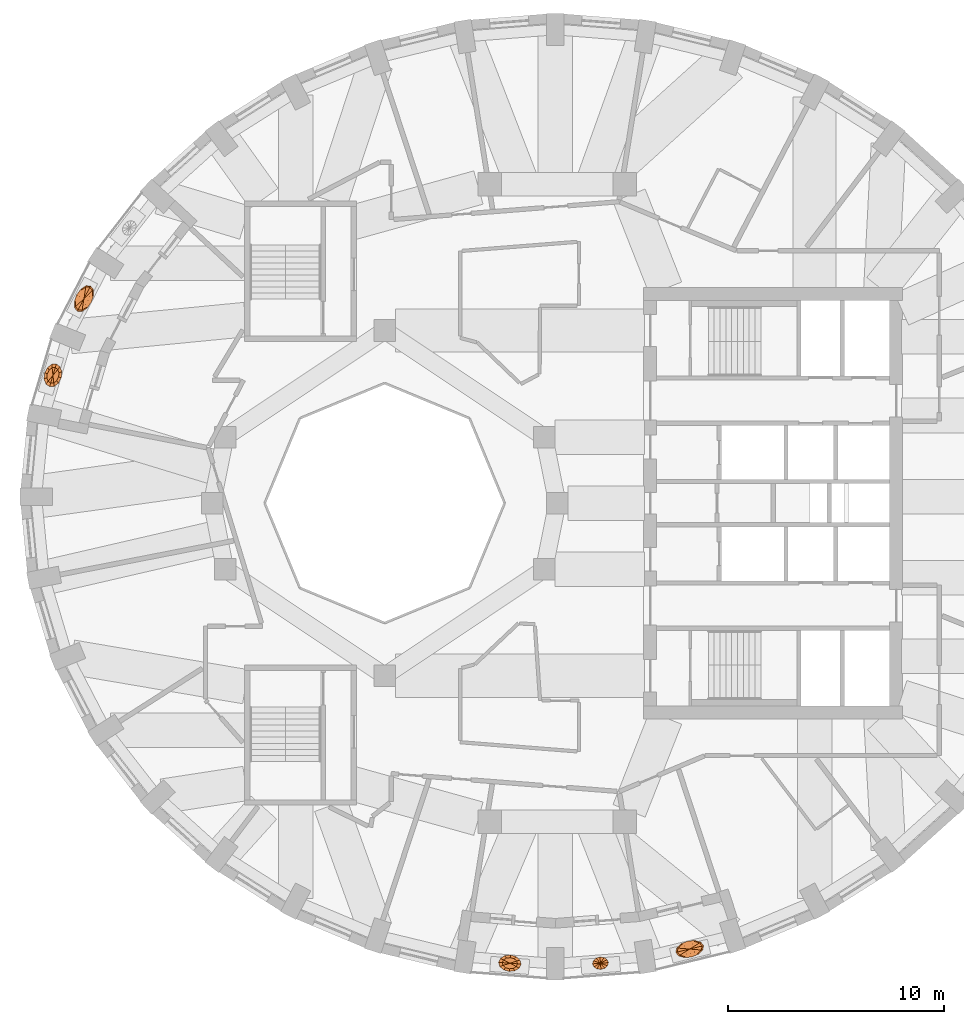
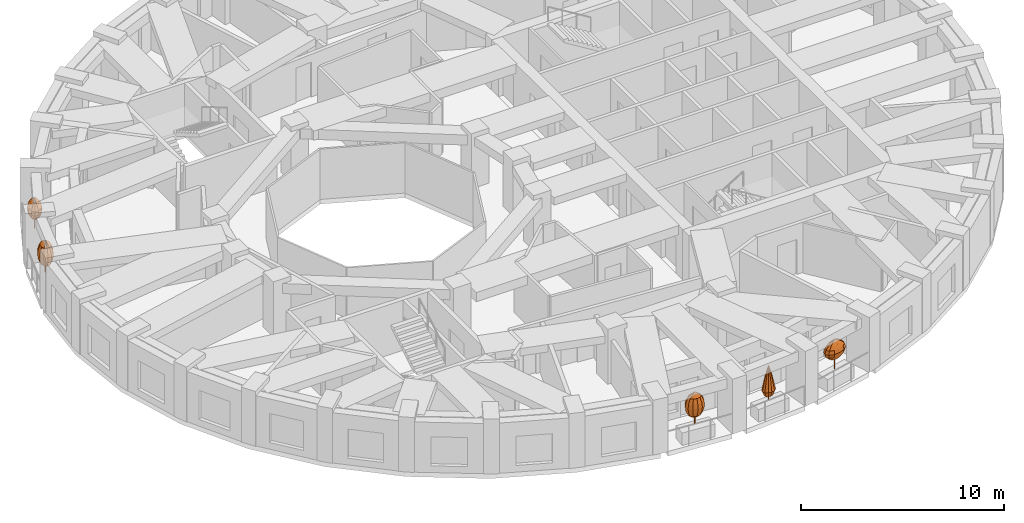
# One storey, part 11 of 12: 5 geographic elements.
"""IFC4 building model written with IfcOpenShell, lengths in metres."""

from ifc_helpers import new_model, si_unit, direction, frame, origin, place, context, subcontext, project, spatial, faceted_brep, material, constituent, constituent_set, type_object, element, save


model = new_model("IFC4")

# Units and contexts
model_context = context("Model", 3, precision=1e-05, world=origin(), true_north=direction((0.0, 1.0)))
body_context = subcontext(model_context, "Body", "Model", "MODEL_VIEW")
ifc_project = project(units=[si_unit("LENGTHUNIT", "METRE"), si_unit("AREAUNIT", "SQUARE_METRE"), si_unit("VOLUMEUNIT", "CUBIC_METRE"), si_unit("PLANEANGLEUNIT", "RADIAN"), si_unit("MASSUNIT", "GRAM", prefix="KILO")], contexts=[model_context])

# Site, building, storey
site_placement = place(None, origin())
site = spatial("IfcSite", under=ifc_project, at=site_placement, CompositionType="ELEMENT")
building_placement = place(site_placement, origin())
building = spatial("IfcBuilding", under=site, at=building_placement, Name="Taillehof Tower", CompositionType="ELEMENT")
storey_placement = place(building_placement, frame((0.0, 0.0, 243.199951171875)))
storey = spatial("IfcBuildingStorey", under=building, at=storey_placement, Name="L69", CompositionType="ELEMENT", Elevation=243.199951171875)

# Geographic elements
ifc_material_1 = material(Name="Tree bark", Category="timber")
ifc_constituent_1 = constituent(ifc_material_1, Name="Trunk", Category="timber")
ifc_material_2 = material(Name="Tree foliage")
ifc_constituent_2 = constituent(ifc_material_2, Name="Crown")
ifc_constituent_set_1 = constituent_set(constituents=[ifc_constituent_1, ifc_constituent_2], Name="Tree TR2 Fastigiate yew")
geographic_element_type_1 = type_object("IfcGeographicElementType", Name="Tree TR2 Fastigiate yew", PredefinedType="USERDEFINED", material=ifc_constituent_set_1)
geographic_element_1_placement = place(storey_placement, frame((-2.19921875, -21.32275390625, 0.75)))
element("IfcGeographicElement", 1, at=geographic_element_1_placement, inside=storey, type_object=geographic_element_type_1, Name="Tree TR2 Fastigiate yew", ObjectType="TREE", PredefinedType="USERDEFINED", context=body_context, shape_type="Brep", body=[
    faceted_brep([(0.034912109375, 0.0, 0.0), (0.024658203125, 0.024658203125, 0.0), (0.024658203125, 0.024658203125, 0.909912109375), (0.034912109375, 0.0, 0.909912109375), (0.0, 0.034912109375, 0.0), (0.0, 0.034912109375, 0.909912109375), (-0.024658203125, 0.024658203125, 0.0), (-0.024658203125, 0.024658203125, 0.909912109375), (-0.034912109375, 0.0, 0.0), (-0.034912109375, 0.0, 0.909912109375), (-0.024658203125, -0.024658203125, 0.0), (-0.024658203125, -0.024658203125, 0.909912109375), (0.0, -0.034912109375, 0.0), (0.0, -0.034912109375, 0.909912109375), (0.024658203125, -0.024658203125, 0.0), (0.024658203125, -0.024658203125, 0.909912109375)], [[[0, 1, 2, 3]], [[1, 4, 5, 2]], [[4, 6, 7, 5]], [[6, 8, 9, 7]], [[8, 10, 11, 9]], [[10, 12, 13, 11]], [[12, 14, 15, 13]], [[14, 0, 3, 15]], [[14, 12, 10, 8, 6, 4, 1, 0]], [[3, 2, 5, 7, 9, 11, 13, 15]]]),
    faceted_brep([(0.0, 0.0, 0.35009765625), (0.318359375, 0.105224609375, 0.61669921875), (0.355712890625, -0.028076171875, 0.61669921875), (0.195556640625, 0.2099609375, 0.61669921875), (0.020263671875, 0.2587890625, 0.61669921875), (-0.16015625, 0.238037109375, 0.61669921875), (-0.2978515625, 0.153564453125, 0.61669921875), (-0.355712890625, 0.028076171875, 0.61669921875), (-0.318359375, -0.105224609375, 0.61669921875), (-0.195556640625, -0.2099609375, 0.61669921875), (-0.020263671875, -0.2587890625, 0.61669921875), (0.16015625, -0.238037109375, 0.61669921875), (0.2978515625, -0.153564453125, 0.61669921875), (0.4306640625, 0.14208984375, 0.88330078125), (0.481201171875, -0.037841796875, 0.88330078125), (0.264404296875, 0.2841796875, 0.88330078125), (0.027587890625, 0.35009765625, 0.88330078125), (-0.216796875, 0.322021484375, 0.88330078125), (-0.403076171875, 0.207763671875, 0.88330078125), (-0.481201171875, 0.037841796875, 0.88330078125), (-0.4306640625, -0.14208984375, 0.88330078125), (-0.264404296875, -0.2841796875, 0.88330078125), (-0.027587890625, -0.35009765625, 0.88330078125), (0.216796875, -0.322021484375, 0.88330078125), (0.403076171875, -0.207763671875, 0.88330078125), (0.466064453125, 0.15380859375, 1.14990234375), (0.52099609375, -0.041015625, 1.14990234375), (0.286376953125, 0.3076171875, 1.14990234375), (0.02978515625, 0.37890625, 1.14990234375), (-0.234619140625, 0.3486328125, 1.14990234375), (-0.436279296875, 0.224853515625, 1.14990234375), (-0.52099609375, 0.041015625, 1.14990234375), (-0.466064453125, -0.15380859375, 1.14990234375), (-0.286376953125, -0.3076171875, 1.14990234375), (-0.02978515625, -0.37890625, 1.14990234375), (0.234619140625, -0.3486328125, 1.14990234375), (0.436279296875, -0.224853515625, 1.14990234375), (0.4306640625, 0.14208984375, 1.416748046875), (0.481201171875, -0.037841796875, 1.416748046875), (0.264404296875, 0.2841796875, 1.416748046875), (0.027587890625, 0.35009765625, 1.416748046875), (-0.216796875, 0.322021484375, 1.416748046875), (-0.403076171875, 0.207763671875, 1.416748046875), (-0.481201171875, 0.037841796875, 1.416748046875), (-0.4306640625, -0.14208984375, 1.416748046875), (-0.264404296875, -0.2841796875, 1.416748046875), (-0.027587890625, -0.35009765625, 1.416748046875), (0.216796875, -0.322021484375, 1.416748046875), (0.403076171875, -0.207763671875, 1.416748046875), (0.318359375, 0.105224609375, 1.683349609375), (0.355712890625, -0.028076171875, 1.683349609375), (0.195556640625, 0.2099609375, 1.683349609375), (0.020263671875, 0.2587890625, 1.683349609375), (-0.16015625, 0.238037109375, 1.683349609375), (-0.2978515625, 0.153564453125, 1.683349609375), (-0.355712890625, 0.028076171875, 1.683349609375), (-0.318359375, -0.105224609375, 1.683349609375), (-0.195556640625, -0.2099609375, 1.683349609375), (-0.020263671875, -0.2587890625, 1.683349609375), (0.16015625, -0.238037109375, 1.683349609375), (0.2978515625, -0.153564453125, 1.683349609375), (0.0, 0.0, 1.949951171875)], [[[0, 1, 2]], [[0, 3, 1]], [[0, 4, 3]], [[0, 5, 4]], [[0, 6, 5]], [[0, 7, 6]], [[0, 8, 7]], [[0, 9, 8]], [[0, 10, 9]], [[0, 11, 10]], [[0, 12, 11]], [[0, 2, 12]], [[2, 1, 13, 14]], [[1, 3, 15, 13]], [[3, 4, 16, 15]], [[4, 5, 17, 16]], [[5, 6, 18, 17]], [[6, 7, 19, 18]], [[7, 8, 20, 19]], [[8, 9, 21, 20]], [[9, 10, 22, 21]], [[10, 11, 23, 22]], [[11, 12, 24, 23]], [[12, 2, 14, 24]], [[14, 13, 25, 26]], [[13, 15, 27, 25]], [[15, 16, 28, 27]], [[16, 17, 29, 28]], [[17, 18, 30, 29]], [[18, 19, 31, 30]], [[19, 20, 32, 31]], [[20, 21, 33, 32]], [[21, 22, 34, 33]], [[22, 23, 35, 34]], [[23, 24, 36, 35]], [[24, 14, 26, 36]], [[26, 25, 37, 38]], [[25, 27, 39, 37]], [[27, 28, 40, 39]], [[28, 29, 41, 40]], [[29, 30, 42, 41]], [[30, 31, 43, 42]], [[31, 32, 44, 43]], [[32, 33, 45, 44]], [[33, 34, 46, 45]], [[34, 35, 47, 46]], [[35, 36, 48, 47]], [[36, 26, 38, 48]], [[38, 37, 49, 50]], [[37, 39, 51, 49]], [[39, 40, 52, 51]], [[40, 41, 53, 52]], [[41, 42, 54, 53]], [[42, 43, 55, 54]], [[43, 44, 56, 55]], [[44, 45, 57, 56]], [[45, 46, 58, 57]], [[46, 47, 59, 58]], [[47, 48, 60, 59]], [[48, 38, 50, 60]], [[50, 49, 61]], [[49, 51, 61]], [[51, 52, 61]], [[52, 53, 61]], [[53, 54, 61]], [[54, 55, 61]], [[55, 56, 61]], [[56, 57, 61]], [[57, 58, 61]], [[58, 59, 61]], [[59, 60, 61]], [[60, 50, 61]]]),
])
geographic_element_2_placement = place(storey_placement, frame((-23.373291015625, 5.92041015625, 0.75)))
element("IfcGeographicElement", 2, at=geographic_element_2_placement, inside=storey, type_object=geographic_element_type_1, Name="Tree TR2 Fastigiate yew", ObjectType="TREE", PredefinedType="USERDEFINED", context=body_context, shape_type="Brep", body=[
    faceted_brep([(0.034912109375, 0.0, 0.0), (0.024658203125, 0.024658203125, 0.0), (0.024658203125, 0.024658203125, 0.909912109375), (0.034912109375, 0.0, 0.909912109375), (0.0, 0.034912109375, 0.0), (0.0, 0.034912109375, 0.909912109375), (-0.024658203125, 0.024658203125, 0.0), (-0.024658203125, 0.024658203125, 0.909912109375), (-0.034912109375, 0.0, 0.0), (-0.034912109375, 0.0, 0.909912109375), (-0.024658203125, -0.024658203125, 0.0), (-0.024658203125, -0.024658203125, 0.909912109375), (0.0, -0.034912109375, 0.0), (0.0, -0.034912109375, 0.909912109375), (0.024658203125, -0.024658203125, 0.0), (0.024658203125, -0.024658203125, 0.909912109375)], [[[0, 1, 2, 3]], [[1, 4, 5, 2]], [[4, 6, 7, 5]], [[6, 8, 9, 7]], [[8, 10, 11, 9]], [[10, 12, 13, 11]], [[12, 14, 15, 13]], [[14, 0, 3, 15]], [[14, 12, 10, 8, 6, 4, 1, 0]], [[3, 2, 5, 7, 9, 11, 13, 15]]]),
    faceted_brep([(0.0, 0.0, 0.35009765625), (0.0380859375, -0.350830078125, 0.61669921875), (-0.107177734375, -0.360107421875, 0.61669921875), (0.173095703125, -0.24755859375, 0.61669921875), (0.261962890625, -0.077880859375, 0.61669921875), (0.2802734375, 0.112548828125, 0.61669921875), (0.2236328125, 0.27294921875, 0.61669921875), (0.107177734375, 0.360107421875, 0.61669921875), (-0.0380859375, 0.350830078125, 0.61669921875), (-0.173095703125, 0.24755859375, 0.61669921875), (-0.261962890625, 0.077880859375, 0.61669921875), (-0.2802734375, -0.112548828125, 0.61669921875), (-0.2236328125, -0.27294921875, 0.61669921875), (0.051513671875, -0.474609375, 0.88330078125), (-0.14501953125, -0.487060546875, 0.88330078125), (0.234375, -0.334716796875, 0.88330078125), (0.354248046875, -0.10546875, 0.88330078125), (0.379150390625, 0.15234375, 0.88330078125), (0.302734375, 0.369140625, 0.88330078125), (0.14501953125, 0.487060546875, 0.88330078125), (-0.051513671875, 0.474609375, 0.88330078125), (-0.234375, 0.334716796875, 0.88330078125), (-0.354248046875, 0.10546875, 0.88330078125), (-0.379150390625, -0.15234375, 0.88330078125), (-0.302734375, -0.369140625, 0.88330078125), (0.055908203125, -0.513671875, 1.14990234375), (-0.156982421875, -0.527099609375, 1.14990234375), (0.253662109375, -0.3623046875, 1.14990234375), (0.38330078125, -0.114013671875, 1.14990234375), (0.410400390625, 0.164794921875, 1.14990234375), (0.32763671875, 0.3994140625, 1.14990234375), (0.156982421875, 0.527099609375, 1.14990234375), (-0.055908203125, 0.513671875, 1.14990234375), (-0.253662109375, 0.3623046875, 1.14990234375), (-0.38330078125, 0.114013671875, 1.14990234375), (-0.410400390625, -0.164794921875, 1.14990234375), (-0.32763671875, -0.3994140625, 1.14990234375), (0.051513671875, -0.474609375, 1.416748046875), (-0.14501953125, -0.487060546875, 1.416748046875), (0.234375, -0.334716796875, 1.416748046875), (0.354248046875, -0.10546875, 1.416748046875), (0.379150390625, 0.15234375, 1.416748046875), (0.302734375, 0.369140625, 1.416748046875), (0.14501953125, 0.487060546875, 1.416748046875), (-0.051513671875, 0.474609375, 1.416748046875), (-0.234375, 0.334716796875, 1.416748046875), (-0.354248046875, 0.10546875, 1.416748046875), (-0.379150390625, -0.15234375, 1.416748046875), (-0.302734375, -0.369140625, 1.416748046875), (0.0380859375, -0.350830078125, 1.683349609375), (-0.107177734375, -0.360107421875, 1.683349609375), (0.173095703125, -0.24755859375, 1.683349609375), (0.261962890625, -0.077880859375, 1.683349609375), (0.2802734375, 0.112548828125, 1.683349609375), (0.2236328125, 0.27294921875, 1.683349609375), (0.107177734375, 0.360107421875, 1.683349609375), (-0.0380859375, 0.350830078125, 1.683349609375), (-0.173095703125, 0.24755859375, 1.683349609375), (-0.261962890625, 0.077880859375, 1.683349609375), (-0.2802734375, -0.112548828125, 1.683349609375), (-0.2236328125, -0.27294921875, 1.683349609375), (0.0, 0.0, 1.949951171875)], [[[0, 1, 2]], [[0, 3, 1]], [[0, 4, 3]], [[0, 5, 4]], [[0, 6, 5]], [[0, 7, 6]], [[0, 8, 7]], [[0, 9, 8]], [[0, 10, 9]], [[0, 11, 10]], [[0, 12, 11]], [[0, 2, 12]], [[2, 1, 13, 14]], [[1, 3, 15, 13]], [[3, 4, 16, 15]], [[4, 5, 17, 16]], [[5, 6, 18, 17]], [[6, 7, 19, 18]], [[7, 8, 20, 19]], [[8, 9, 21, 20]], [[9, 10, 22, 21]], [[10, 11, 23, 22]], [[11, 12, 24, 23]], [[12, 2, 14, 24]], [[14, 13, 25, 26]], [[13, 15, 27, 25]], [[15, 16, 28, 27]], [[16, 17, 29, 28]], [[17, 18, 30, 29]], [[18, 19, 31, 30]], [[19, 20, 32, 31]], [[20, 21, 33, 32]], [[21, 22, 34, 33]], [[22, 23, 35, 34]], [[23, 24, 36, 35]], [[24, 14, 26, 36]], [[26, 25, 37, 38]], [[25, 27, 39, 37]], [[27, 28, 40, 39]], [[28, 29, 41, 40]], [[29, 30, 42, 41]], [[30, 31, 43, 42]], [[31, 32, 44, 43]], [[32, 33, 45, 44]], [[33, 34, 46, 45]], [[34, 35, 47, 46]], [[35, 36, 48, 47]], [[36, 26, 38, 48]], [[38, 37, 49, 50]], [[37, 39, 51, 49]], [[39, 40, 52, 51]], [[40, 41, 53, 52]], [[41, 42, 54, 53]], [[42, 43, 55, 54]], [[43, 44, 56, 55]], [[44, 45, 57, 56]], [[45, 46, 58, 57]], [[46, 47, 59, 58]], [[47, 48, 60, 59]], [[48, 38, 50, 60]], [[50, 49, 61]], [[49, 51, 61]], [[51, 52, 61]], [[52, 53, 61]], [[53, 54, 61]], [[54, 55, 61]], [[55, 56, 61]], [[56, 57, 61]], [[57, 58, 61]], [[58, 59, 61]], [[59, 60, 61]], [[60, 50, 61]]]),
])
ifc_material_3 = material(Name="Tree bark", Category="timber")
ifc_constituent_3 = constituent(ifc_material_3, Name="Trunk", Category="timber")
ifc_material_4 = material(Name="Tree foliage")
ifc_constituent_4 = constituent(ifc_material_4, Name="Crown")
ifc_constituent_set_2 = constituent_set(constituents=[ifc_constituent_3, ifc_constituent_4], Name="Tree TR4 Sea buckthorn standard")
geographic_element_type_2 = type_object("IfcGeographicElementType", Name="Tree TR4 Sea buckthorn standard", PredefinedType="USERDEFINED", material=ifc_constituent_set_2)
geographic_element_3_placement = place(storey_placement, frame((6.1337890625, -20.666259765625, 0.75)))
element("IfcGeographicElement", 3, at=geographic_element_3_placement, inside=storey, type_object=geographic_element_type_2, Name="Tree TR4 Sea buckthorn standard", ObjectType="TREE", PredefinedType="USERDEFINED", context=body_context, shape_type="Brep", body=[
    faceted_brep([(0.030029296875, 0.0, 0.0), (0.021240234375, 0.021240234375, 0.0), (0.021240234375, 0.021240234375, 0.98095703125), (0.030029296875, 0.0, 0.98095703125), (0.0, 0.030029296875, 0.0), (0.0, 0.030029296875, 0.98095703125), (-0.021240234375, 0.021240234375, 0.0), (-0.021240234375, 0.021240234375, 0.98095703125), (-0.030029296875, 0.0, 0.0), (-0.030029296875, 0.0, 0.98095703125), (-0.021240234375, -0.021240234375, 0.0), (-0.021240234375, -0.021240234375, 0.98095703125), (0.0, -0.030029296875, 0.0), (0.0, -0.030029296875, 0.98095703125), (0.021240234375, -0.021240234375, 0.0), (0.021240234375, -0.021240234375, 0.98095703125)], [[[0, 1, 2, 3]], [[1, 4, 5, 2]], [[4, 6, 7, 5]], [[6, 8, 9, 7]], [[8, 10, 11, 9]], [[10, 12, 13, 11]], [[12, 14, 15, 13]], [[14, 0, 3, 15]], [[14, 12, 10, 8, 6, 4, 1, 0]], [[3, 2, 5, 7, 9, 11, 13, 15]]]),
    faceted_brep([(0.0, 0.0, 0.5400390625), (0.2958984375, 0.18359375, 0.75), (0.371337890625, 0.089599609375, 0.75), (0.141357421875, 0.228515625, 0.75), (-0.05126953125, 0.212158203125, 0.75), (-0.22998046875, 0.138916015625, 0.75), (-0.34716796875, 0.028564453125, 0.75), (-0.371337890625, -0.089599609375, 0.75), (-0.2958984375, -0.18359375, 0.75), (-0.141357421875, -0.228515625, 0.75), (0.05126953125, -0.212158203125, 0.75), (0.22998046875, -0.138916015625, 0.75), (0.34716796875, -0.028564453125, 0.75), (0.459228515625, 0.284912109375, 0.9599609375), (0.576171875, 0.138916015625, 0.9599609375), (0.21923828125, 0.354736328125, 0.9599609375), (-0.079345703125, 0.329345703125, 0.9599609375), (-0.35693359375, 0.215576171875, 0.9599609375), (-0.538818359375, 0.044189453125, 0.9599609375), (-0.576171875, -0.138916015625, 0.9599609375), (-0.459228515625, -0.284912109375, 0.9599609375), (-0.21923828125, -0.354736328125, 0.9599609375), (0.079345703125, -0.329345703125, 0.9599609375), (0.35693359375, -0.215576171875, 0.9599609375), (0.538818359375, -0.044189453125, 0.9599609375), (0.515380859375, 0.31982421875, 1.169921875), (0.646484375, 0.156005859375, 1.169921875), (0.24609375, 0.39794921875, 1.169921875), (-0.089111328125, 0.369384765625, 1.169921875), (-0.400390625, 0.241943359375, 1.169921875), (-0.6044921875, 0.049560546875, 1.169921875), (-0.646484375, -0.156005859375, 1.169921875), (-0.515380859375, -0.31982421875, 1.169921875), (-0.24609375, -0.39794921875, 1.169921875), (0.089111328125, -0.369384765625, 1.169921875), (0.400390625, -0.241943359375, 1.169921875), (0.6044921875, -0.049560546875, 1.169921875), (0.459228515625, 0.284912109375, 1.3798828125), (0.576171875, 0.138916015625, 1.3798828125), (0.21923828125, 0.354736328125, 1.3798828125), (-0.079345703125, 0.329345703125, 1.3798828125), (-0.35693359375, 0.215576171875, 1.3798828125), (-0.538818359375, 0.044189453125, 1.3798828125), (-0.576171875, -0.138916015625, 1.3798828125), (-0.459228515625, -0.284912109375, 1.3798828125), (-0.21923828125, -0.354736328125, 1.3798828125), (0.079345703125, -0.329345703125, 1.3798828125), (0.35693359375, -0.215576171875, 1.3798828125), (0.538818359375, -0.044189453125, 1.3798828125), (0.2958984375, 0.18359375, 1.590087890625), (0.371337890625, 0.089599609375, 1.590087890625), (0.141357421875, 0.228515625, 1.590087890625), (-0.05126953125, 0.212158203125, 1.590087890625), (-0.22998046875, 0.138916015625, 1.590087890625), (-0.34716796875, 0.028564453125, 1.590087890625), (-0.371337890625, -0.089599609375, 1.590087890625), (-0.2958984375, -0.18359375, 1.590087890625), (-0.141357421875, -0.228515625, 1.590087890625), (0.05126953125, -0.212158203125, 1.590087890625), (0.22998046875, -0.138916015625, 1.590087890625), (0.34716796875, -0.028564453125, 1.590087890625), (0.0, 0.0, 1.800048828125)], [[[0, 1, 2]], [[0, 3, 1]], [[0, 4, 3]], [[0, 5, 4]], [[0, 6, 5]], [[0, 7, 6]], [[0, 8, 7]], [[0, 9, 8]], [[0, 10, 9]], [[0, 11, 10]], [[0, 12, 11]], [[0, 2, 12]], [[2, 1, 13, 14]], [[1, 3, 15, 13]], [[3, 4, 16, 15]], [[4, 5, 17, 16]], [[5, 6, 18, 17]], [[6, 7, 19, 18]], [[7, 8, 20, 19]], [[8, 9, 21, 20]], [[9, 10, 22, 21]], [[10, 11, 23, 22]], [[11, 12, 24, 23]], [[12, 2, 14, 24]], [[14, 13, 25, 26]], [[13, 15, 27, 25]], [[15, 16, 28, 27]], [[16, 17, 29, 28]], [[17, 18, 30, 29]], [[18, 19, 31, 30]], [[19, 20, 32, 31]], [[20, 21, 33, 32]], [[21, 22, 34, 33]], [[22, 23, 35, 34]], [[23, 24, 36, 35]], [[24, 14, 26, 36]], [[26, 25, 37, 38]], [[25, 27, 39, 37]], [[27, 28, 40, 39]], [[28, 29, 41, 40]], [[29, 30, 42, 41]], [[30, 31, 43, 42]], [[31, 32, 44, 43]], [[32, 33, 45, 44]], [[33, 34, 46, 45]], [[34, 35, 47, 46]], [[35, 36, 48, 47]], [[36, 26, 38, 48]], [[38, 37, 49, 50]], [[37, 39, 51, 49]], [[39, 40, 52, 51]], [[40, 41, 53, 52]], [[41, 42, 54, 53]], [[42, 43, 55, 54]], [[43, 44, 56, 55]], [[44, 45, 57, 56]], [[45, 46, 58, 57]], [[46, 47, 59, 58]], [[47, 48, 60, 59]], [[48, 38, 50, 60]], [[50, 49, 61]], [[49, 51, 61]], [[51, 52, 61]], [[52, 53, 61]], [[53, 54, 61]], [[54, 55, 61]], [[55, 56, 61]], [[56, 57, 61]], [[57, 58, 61]], [[58, 59, 61]], [[59, 60, 61]], [[60, 50, 61]]]),
])
geographic_element_4_placement = place(storey_placement, frame((-21.935791015625, 9.4765625, 0.75)))
element("IfcGeographicElement", 4, at=geographic_element_4_placement, inside=storey, type_object=geographic_element_type_2, Name="Tree TR4 Sea buckthorn standard", ObjectType="TREE", PredefinedType="USERDEFINED", context=body_context, shape_type="Brep", body=[
    faceted_brep([(0.030029296875, 0.0, 0.0), (0.021240234375, 0.021240234375, 0.0), (0.021240234375, 0.021240234375, 0.98095703125), (0.030029296875, 0.0, 0.98095703125), (0.0, 0.030029296875, 0.0), (0.0, 0.030029296875, 0.98095703125), (-0.021240234375, 0.021240234375, 0.0), (-0.021240234375, 0.021240234375, 0.98095703125), (-0.030029296875, 0.0, 0.0), (-0.030029296875, 0.0, 0.98095703125), (-0.021240234375, -0.021240234375, 0.0), (-0.021240234375, -0.021240234375, 0.98095703125), (0.0, -0.030029296875, 0.0), (0.0, -0.030029296875, 0.98095703125), (0.021240234375, -0.021240234375, 0.0), (0.021240234375, -0.021240234375, 0.98095703125)], [[[0, 1, 2, 3]], [[1, 4, 5, 2]], [[4, 6, 7, 5]], [[6, 8, 9, 7]], [[8, 10, 11, 9]], [[10, 12, 13, 11]], [[12, 14, 15, 13]], [[14, 0, 3, 15]], [[14, 12, 10, 8, 6, 4, 1, 0]], [[3, 2, 5, 7, 9, 11, 13, 15]]]),
    faceted_brep([(0.0, 0.0, 0.5400390625), (-0.05517578125, -0.343994140625, 0.75), (-0.175537109375, -0.339111328125, 0.75), (0.080078125, -0.256591796875, 0.75), (0.19384765625, -0.100341796875, 0.75), (0.255615234375, 0.082763671875, 0.75), (0.2490234375, 0.24365234375, 0.75), (0.175537109375, 0.339111328125, 0.75), (0.05517578125, 0.343994140625, 0.75), (-0.080078125, 0.256591796875, 0.75), (-0.19384765625, 0.100341796875, 0.75), (-0.255615234375, -0.082763671875, 0.75), (-0.2490234375, -0.24365234375, 0.75), (-0.085693359375, -0.53369140625, 0.9599609375), (-0.272705078125, -0.5263671875, 0.9599609375), (0.124267578125, -0.39794921875, 0.9599609375), (0.30078125, -0.15576171875, 0.9599609375), (0.396728515625, 0.128173828125, 0.9599609375), (0.386474609375, 0.3779296875, 0.9599609375), (0.272705078125, 0.5263671875, 0.9599609375), (0.085693359375, 0.53369140625, 0.9599609375), (-0.124267578125, 0.39794921875, 0.9599609375), (-0.30078125, 0.15576171875, 0.9599609375), (-0.396728515625, -0.128173828125, 0.9599609375), (-0.386474609375, -0.3779296875, 0.9599609375), (-0.09619140625, -0.598876953125, 1.169921875), (-0.305908203125, -0.590576171875, 1.169921875), (0.139404296875, -0.446533203125, 1.169921875), (0.33740234375, -0.1748046875, 1.169921875), (0.445068359375, 0.143798828125, 1.169921875), (0.43359375, 0.424072265625, 1.169921875), (0.305908203125, 0.590576171875, 1.169921875), (0.09619140625, 0.598876953125, 1.169921875), (-0.139404296875, 0.446533203125, 1.169921875), (-0.33740234375, 0.1748046875, 1.169921875), (-0.445068359375, -0.143798828125, 1.169921875), (-0.43359375, -0.424072265625, 1.169921875), (-0.085693359375, -0.53369140625, 1.3798828125), (-0.272705078125, -0.5263671875, 1.3798828125), (0.124267578125, -0.39794921875, 1.3798828125), (0.30078125, -0.15576171875, 1.3798828125), (0.396728515625, 0.128173828125, 1.3798828125), (0.386474609375, 0.3779296875, 1.3798828125), (0.272705078125, 0.5263671875, 1.3798828125), (0.085693359375, 0.53369140625, 1.3798828125), (-0.124267578125, 0.39794921875, 1.3798828125), (-0.30078125, 0.15576171875, 1.3798828125), (-0.396728515625, -0.128173828125, 1.3798828125), (-0.386474609375, -0.3779296875, 1.3798828125), (-0.05517578125, -0.343994140625, 1.590087890625), (-0.175537109375, -0.339111328125, 1.590087890625), (0.080078125, -0.256591796875, 1.590087890625), (0.19384765625, -0.100341796875, 1.590087890625), (0.255615234375, 0.082763671875, 1.590087890625), (0.2490234375, 0.24365234375, 1.590087890625), (0.175537109375, 0.339111328125, 1.590087890625), (0.05517578125, 0.343994140625, 1.590087890625), (-0.080078125, 0.256591796875, 1.590087890625), (-0.19384765625, 0.100341796875, 1.590087890625), (-0.255615234375, -0.082763671875, 1.590087890625), (-0.2490234375, -0.24365234375, 1.590087890625), (0.0, 0.0, 1.800048828125)], [[[0, 1, 2]], [[0, 3, 1]], [[0, 4, 3]], [[0, 5, 4]], [[0, 6, 5]], [[0, 7, 6]], [[0, 8, 7]], [[0, 9, 8]], [[0, 10, 9]], [[0, 11, 10]], [[0, 12, 11]], [[0, 2, 12]], [[2, 1, 13, 14]], [[1, 3, 15, 13]], [[3, 4, 16, 15]], [[4, 5, 17, 16]], [[5, 6, 18, 17]], [[6, 7, 19, 18]], [[7, 8, 20, 19]], [[8, 9, 21, 20]], [[9, 10, 22, 21]], [[10, 11, 23, 22]], [[11, 12, 24, 23]], [[12, 2, 14, 24]], [[14, 13, 25, 26]], [[13, 15, 27, 25]], [[15, 16, 28, 27]], [[16, 17, 29, 28]], [[17, 18, 30, 29]], [[18, 19, 31, 30]], [[19, 20, 32, 31]], [[20, 21, 33, 32]], [[21, 22, 34, 33]], [[22, 23, 35, 34]], [[23, 24, 36, 35]], [[24, 14, 26, 36]], [[26, 25, 37, 38]], [[25, 27, 39, 37]], [[27, 28, 40, 39]], [[28, 29, 41, 40]], [[29, 30, 42, 41]], [[30, 31, 43, 42]], [[31, 32, 44, 43]], [[32, 33, 45, 44]], [[33, 34, 46, 45]], [[34, 35, 47, 46]], [[35, 36, 48, 47]], [[36, 26, 38, 48]], [[38, 37, 49, 50]], [[37, 39, 51, 49]], [[39, 40, 52, 51]], [[40, 41, 53, 52]], [[41, 42, 54, 53]], [[42, 43, 55, 54]], [[43, 44, 56, 55]], [[44, 45, 57, 56]], [[45, 46, 58, 57]], [[46, 47, 59, 58]], [[47, 48, 60, 59]], [[48, 38, 50, 60]], [[50, 49, 61]], [[49, 51, 61]], [[51, 52, 61]], [[52, 53, 61]], [[53, 54, 61]], [[54, 55, 61]], [[55, 56, 61]], [[56, 57, 61]], [[57, 58, 61]], [[58, 59, 61]], [[59, 60, 61]], [[60, 50, 61]]]),
])
ifc_material_5 = material(Name="Tree bark", Category="timber")
ifc_constituent_5 = constituent(ifc_material_5, Name="Trunk", Category="timber")
ifc_material_6 = material(Name="Tree foliage")
ifc_constituent_6 = constituent(ifc_material_6, Name="Crown")
ifc_constituent_set_3 = constituent_set(constituents=[ifc_constituent_5, ifc_constituent_6], Name="Tree TR5 Columnar juniper")
geographic_element_type_3 = type_object("IfcGeographicElementType", Name="Tree TR5 Columnar juniper", PredefinedType="USERDEFINED", material=ifc_constituent_set_3)
geographic_element_5_placement = place(storey_placement, frame((1.999267578125, -21.32275390625, 0.75)))
element("IfcGeographicElement", 5, at=geographic_element_5_placement, inside=storey, type_object=geographic_element_type_3, Name="Tree TR5 Columnar juniper", ObjectType="TREE", PredefinedType="USERDEFINED", context=body_context, shape_type="Brep", body=[
    faceted_brep([(0.02490234375, 0.0, 0.0), (0.017578125, 0.017578125, 0.0), (0.017578125, 0.017578125, 0.929931640625), (0.02490234375, 0.0, 0.929931640625), (0.0, 0.02490234375, 0.0), (0.0, 0.02490234375, 0.929931640625), (-0.017578125, 0.017578125, 0.0), (-0.017578125, 0.017578125, 0.929931640625), (-0.02490234375, 0.0, 0.0), (-0.02490234375, 0.0, 0.929931640625), (-0.017578125, -0.017578125, 0.0), (-0.017578125, -0.017578125, 0.929931640625), (0.0, -0.02490234375, 0.0), (0.0, -0.02490234375, 0.929931640625), (0.017578125, -0.017578125, 0.0), (0.017578125, -0.017578125, 0.929931640625)], [[[0, 1, 2, 3]], [[1, 4, 5, 2]], [[4, 6, 7, 5]], [[6, 8, 9, 7]], [[8, 10, 11, 9]], [[10, 12, 13, 11]], [[12, 14, 15, 13]], [[14, 0, 3, 15]], [[14, 12, 10, 8, 6, 4, 1, 0]], [[3, 2, 5, 7, 9, 11, 13, 15]]]),
    faceted_brep([(0.246826171875, 0.01953125, 0.300048828125), (0.2060546875, 0.11279296875, 0.300048828125), (0.3076171875, 0.16845703125, 0.60009765625), (0.368408203125, 0.029052734375, 0.60009765625), (0.1103515625, 0.176025390625, 0.300048828125), (0.16455078125, 0.2626953125, 0.60009765625), (-0.01513671875, 0.19189453125, 0.300048828125), (-0.0224609375, 0.286376953125, 0.60009765625), (-0.136474609375, 0.156494140625, 0.300048828125), (-0.20361328125, 0.233642578125, 0.60009765625), (-0.22119140625, 0.0791015625, 0.300048828125), (-0.330322265625, 0.1181640625, 0.60009765625), (-0.246826171875, -0.01953125, 0.300048828125), (-0.368408203125, -0.029052734375, 0.60009765625), (-0.2060546875, -0.11279296875, 0.300048828125), (-0.3076171875, -0.16845703125, 0.60009765625), (-0.1103515625, -0.176025390625, 0.300048828125), (-0.16455078125, -0.2626953125, 0.60009765625), (0.01513671875, -0.19189453125, 0.300048828125), (0.0224609375, -0.286376953125, 0.60009765625), (0.136474609375, -0.156494140625, 0.300048828125), (0.20361328125, -0.233642578125, 0.60009765625), (0.22119140625, -0.0791015625, 0.300048828125), (0.330322265625, -0.1181640625, 0.60009765625), (0.25732421875, 0.140869140625, 0.89990234375), (0.30810546875, 0.024169921875, 0.89990234375), (0.1376953125, 0.2197265625, 0.89990234375), (-0.018798828125, 0.23974609375, 0.89990234375), (-0.17041015625, 0.1953125, 0.89990234375), (-0.2763671875, 0.098876953125, 0.89990234375), (-0.30810546875, -0.024169921875, 0.89990234375), (-0.25732421875, -0.140869140625, 0.89990234375), (-0.1376953125, -0.2197265625, 0.89990234375), (0.018798828125, -0.23974609375, 0.89990234375), (0.17041015625, -0.1953125, 0.89990234375), (0.2763671875, -0.098876953125, 0.89990234375), (0.20458984375, 0.11181640625, 1.199951171875), (0.244873046875, 0.019287109375, 1.199951171875), (0.109375, 0.174560546875, 1.199951171875), (-0.014892578125, 0.1904296875, 1.199951171875), (-0.13525390625, 0.1552734375, 1.199951171875), (-0.219482421875, 0.07861328125, 1.199951171875), (-0.244873046875, -0.019287109375, 1.199951171875), (-0.20458984375, -0.11181640625, 1.199951171875), (-0.109375, -0.174560546875, 1.199951171875), (0.014892578125, -0.1904296875, 1.199951171875), (0.13525390625, -0.1552734375, 1.199951171875), (0.219482421875, -0.07861328125, 1.199951171875), (0.14794921875, 0.080810546875, 1.5), (0.177001953125, 0.013916015625, 1.5), (0.0791015625, 0.126220703125, 1.5), (-0.0107421875, 0.1376953125, 1.5), (-0.097900390625, 0.1123046875, 1.5), (-0.15869140625, 0.056640625, 1.5), (-0.177001953125, -0.013916015625, 1.5), (-0.14794921875, -0.080810546875, 1.5), (-0.0791015625, -0.126220703125, 1.5), (0.0107421875, -0.1376953125, 1.5), (0.097900390625, -0.1123046875, 1.5), (0.15869140625, -0.056640625, 1.5), (0.0849609375, 0.04638671875, 1.800048828125), (0.1015625, 0.008056640625, 1.800048828125), (0.04541015625, 0.072509765625, 1.800048828125), (-0.00634765625, 0.0791015625, 1.800048828125), (-0.05615234375, 0.064453125, 1.800048828125), (-0.091064453125, 0.03271484375, 1.800048828125), (-0.1015625, -0.008056640625, 1.800048828125), (-0.0849609375, -0.04638671875, 1.800048828125), (-0.04541015625, -0.072509765625, 1.800048828125), (0.00634765625, -0.0791015625, 1.800048828125), (0.05615234375, -0.064453125, 1.800048828125), (0.091064453125, -0.03271484375, 1.800048828125), (0.0, 0.0, 2.10009765625)], [[[0, 1, 2, 3]], [[1, 4, 5, 2]], [[4, 6, 7, 5]], [[6, 8, 9, 7]], [[8, 10, 11, 9]], [[10, 12, 13, 11]], [[12, 14, 15, 13]], [[14, 16, 17, 15]], [[16, 18, 19, 17]], [[18, 20, 21, 19]], [[20, 22, 23, 21]], [[22, 0, 3, 23]], [[3, 2, 24, 25]], [[2, 5, 26, 24]], [[5, 7, 27, 26]], [[7, 9, 28, 27]], [[9, 11, 29, 28]], [[11, 13, 30, 29]], [[13, 15, 31, 30]], [[15, 17, 32, 31]], [[17, 19, 33, 32]], [[19, 21, 34, 33]], [[21, 23, 35, 34]], [[23, 3, 25, 35]], [[25, 24, 36, 37]], [[24, 26, 38, 36]], [[26, 27, 39, 38]], [[27, 28, 40, 39]], [[28, 29, 41, 40]], [[29, 30, 42, 41]], [[30, 31, 43, 42]], [[31, 32, 44, 43]], [[32, 33, 45, 44]], [[33, 34, 46, 45]], [[34, 35, 47, 46]], [[35, 25, 37, 47]], [[37, 36, 48, 49]], [[36, 38, 50, 48]], [[38, 39, 51, 50]], [[39, 40, 52, 51]], [[40, 41, 53, 52]], [[41, 42, 54, 53]], [[42, 43, 55, 54]], [[43, 44, 56, 55]], [[44, 45, 57, 56]], [[45, 46, 58, 57]], [[46, 47, 59, 58]], [[47, 37, 49, 59]], [[49, 48, 60, 61]], [[48, 50, 62, 60]], [[50, 51, 63, 62]], [[51, 52, 64, 63]], [[52, 53, 65, 64]], [[53, 54, 66, 65]], [[54, 55, 67, 66]], [[55, 56, 68, 67]], [[56, 57, 69, 68]], [[57, 58, 70, 69]], [[58, 59, 71, 70]], [[59, 49, 61, 71]], [[61, 60, 72]], [[60, 62, 72]], [[62, 63, 72]], [[63, 64, 72]], [[64, 65, 72]], [[65, 66, 72]], [[66, 67, 72]], [[67, 68, 72]], [[68, 69, 72]], [[69, 70, 72]], [[70, 71, 72]], [[71, 61, 72]], [[22, 20, 18, 16, 14, 12, 10, 8, 6, 4, 1, 0]]]),
])

save(model, "model.ifc")
